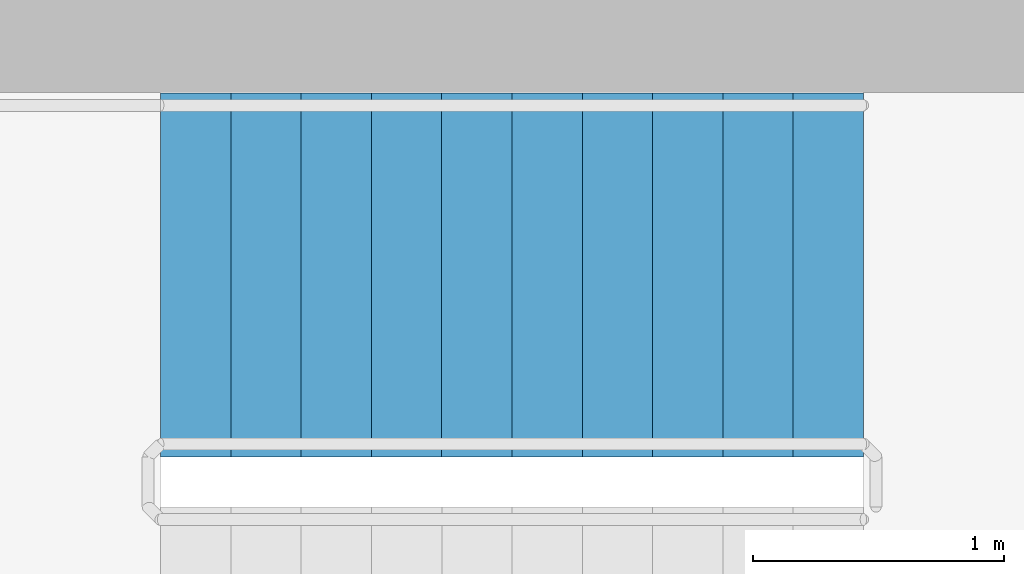
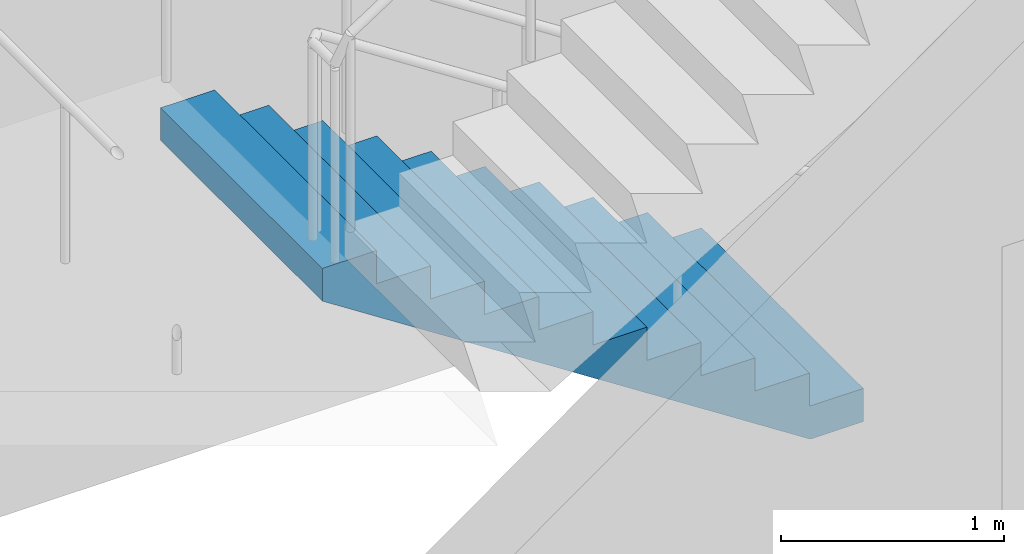
# One storey, part 8 of 10: 1 stair flight, 1 element without a shape of its own.
"""IFC4 building model written with IfcOpenShell, lengths in metres."""

from ifc_helpers import new_model, si_unit, direction, frame, origin, place, context, subcontext, project, spatial, polyline, outline, extrude, material, type_object, element, aggregate, save


model = new_model("IFC4")

# Units and contexts
model_context = context("Model", 3, precision=1e-05, world=origin(), true_north=direction((0.0, 1.0)))
body_context = subcontext(model_context, "Body", "Model", "MODEL_VIEW")
ifc_project = project(units=[si_unit("LENGTHUNIT", "METRE"), si_unit("AREAUNIT", "SQUARE_METRE"), si_unit("VOLUMEUNIT", "CUBIC_METRE"), si_unit("PLANEANGLEUNIT", "RADIAN"), si_unit("MASSUNIT", "GRAM", prefix="KILO")], contexts=[model_context])

# Site, building, storey
site_placement = place(None, origin())
site = spatial("IfcSite", under=ifc_project, at=site_placement, CompositionType="ELEMENT")
building_placement = place(site_placement, origin())
building = spatial("IfcBuilding", under=site, at=building_placement, Name="Verdant Reach Tower", CompositionType="ELEMENT")
storey_placement = place(building_placement, frame((0.0, 0.0, 210.0)))
storey = spatial("IfcBuildingStorey", under=building, at=storey_placement, Name="L48", CompositionType="ELEMENT", Elevation=210.0)

# Stair, stair flight
ifc_material = material(Name="Concrete C40/50", Category="concrete")
stair_type = type_object("IfcStairType", Name="CO-STAIR", PredefinedType="HALF_TURN_STAIR", material=ifc_material)
stair_placement = place(storey_placement, origin())
stair = element("IfcStair", 1, at=stair_placement, inside=storey, type_object=stair_type, Name="L48 Exit stair 3", PredefinedType="HALF_TURN_STAIR")
stair_flight_type = type_object("IfcStairFlightType", Name="CO-STAIR-FLIGHT", PredefinedType="STRAIGHT", material=ifc_material)
stair_flight_placement = place(storey_placement, frame((11.14990234375, 36.875, 0.0), z_axis=(0.0, 0.0, 1.0), x_axis=(-1.0, 0.0, 0.0)))
stair_flight = element("IfcStairFlight", 2, at=stair_flight_placement, type_object=stair_flight_type, Name="ST-3 flight 1", NumberOfRisers=11, NumberOfTreads=10, PredefinedType="STRAIGHT", RiserHeight=0.181818182, TreadLength=0.28, context=body_context, shape_type="SweptSolid", body=[
    extrude(outline(polyline([(0.0, 0.0), (0.0, 0.181884765625), (0.280029296875, 0.181884765625), (0.280029296875, 0.363525390625), (0.56005859375, 0.363525390625), (0.56005859375, 0.54541015625), (0.840087890625, 0.54541015625), (0.840087890625, 0.727294921875), (1.1201171875, 0.727294921875), (1.1201171875, 0.9091796875), (1.39990234375, 0.9091796875), (1.39990234375, 1.0908203125), (1.679931640625, 1.0908203125), (1.679931640625, 1.272705078125), (1.9599609375, 1.272705078125), (1.9599609375, 1.45458984375), (2.239990234375, 1.45458984375), (2.239990234375, 1.636474609375), (2.52001953125, 1.636474609375), (2.52001953125, 1.818115234375), (2.800048828125, 1.818115234375), (2.800048828125, 2.0), (2.800048828125, 1.639404296875), (0.275146484375, 0.0), (0.0, 0.0)])), frame((0.0, 0.72509765625, 0.0), z_axis=(0.0, -1.0, 0.0), x_axis=(1.0, 0.0, 0.0)), (0.0, 0.0, 1.0), 1.449951171875),
])
aggregate(stair, [stair_flight])

save(model, "model.ifc")
